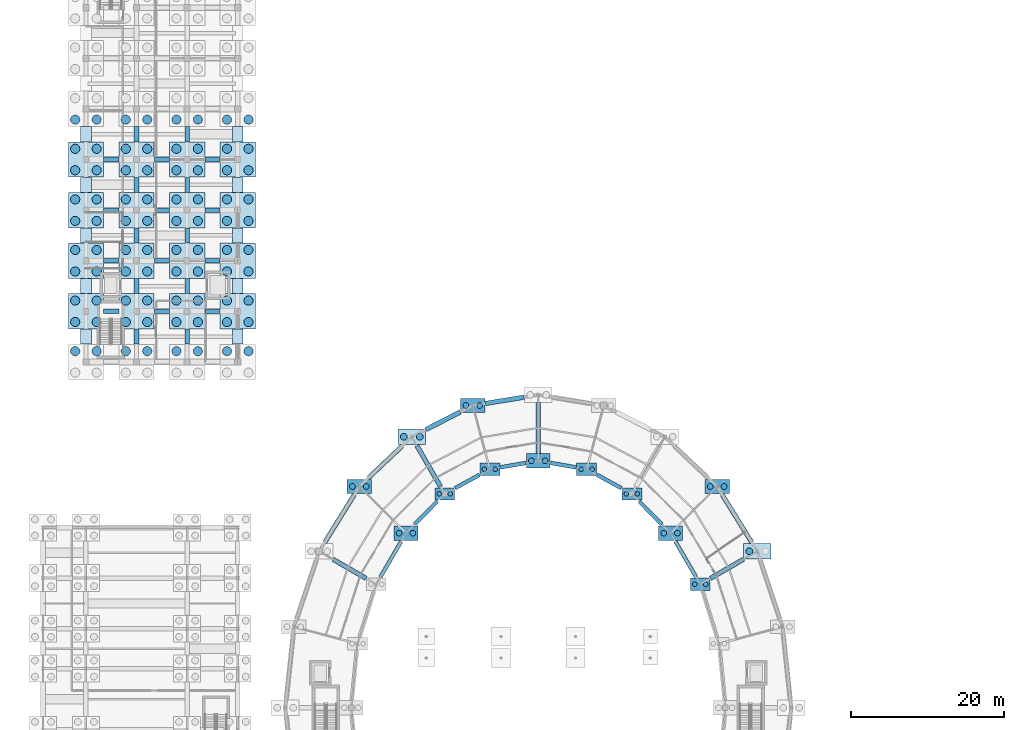
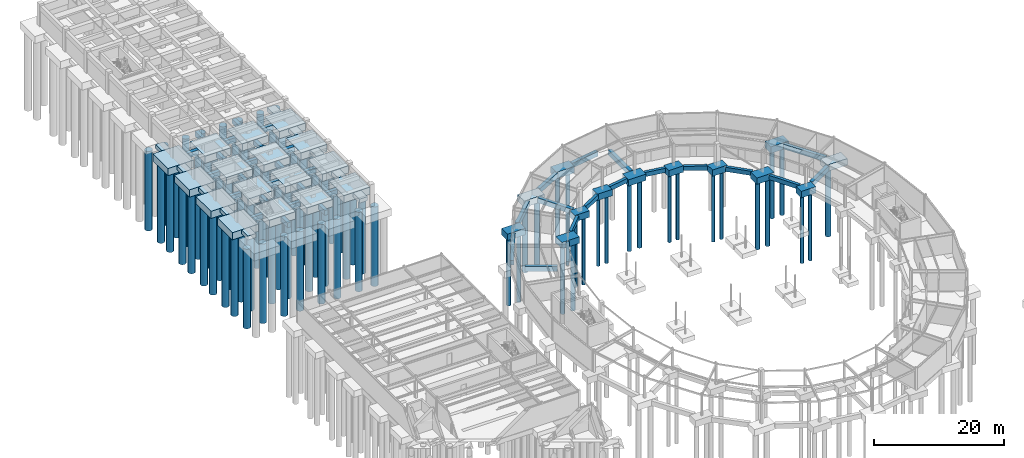
# One storey, part 5 of 58: 105 piles, 78 footings.
"""IFC4 building model written with IfcOpenShell, lengths in metres."""

import ifcopenshell
import ifcopenshell.guid

model = None  # the IFC model being written
_history = None  # IfcOwnerHistory: only IFC2X3 demands one
_inside = {}  # id of a spatial element -> (the spatial element, [elements in it])
_under = {}  # id of a project, library or spatial element -> (it, [spatial elements below it])
_declared = {}  # id of a project -> (the project, [libraries it declares])
_typed = {}  # id of a type object -> (the type object, [elements of that type])
_made_of = {}  # id of a material, layer set ... -> (it, [elements and type objects made of it])


def new_model(schema):
    """Start an empty IFC model of exactly this schema.

    Asked for "IFC4X3", IfcOpenShell would pick the latest addendum, in which some entities
    have other attributes; the version numbers below select the first issue.
    IFC2X3 requires an IfcOwnerHistory on every rooted entity: one is made here for all.
    """
    global model, _history
    if schema == "IFC4X3":
        model = ifcopenshell.file(schema_version=(4, 3, 0, 0))
    else:
        model = ifcopenshell.file(schema=schema)
    _inside.clear()
    _under.clear()
    _declared.clear()
    _typed.clear()
    _made_of.clear()
    _history = None
    if model.schema == "IFC2X3":
        org = make("IfcOrganization", Name="unknown")
        user = make(
            "IfcPersonAndOrganization",
            ThePerson=make("IfcPerson", FamilyName="unknown"),
            TheOrganization=org,
        )
        app = make(
            "IfcApplication",
            ApplicationDeveloper=org,
            Version="unknown",
            ApplicationFullName="unknown",
            ApplicationIdentifier="unknown",
        )
        _history = make(
            "IfcOwnerHistory",
            OwningUser=user,
            OwningApplication=app,
            ChangeAction="ADDED",
            CreationDate=0,
        )
    return model


def make(cls, **values):
    """One entity of the class cls with the attributes given. An attribute that is None is left unset."""
    return model.create_entity(
        cls, **{name: value for name, value in values.items() if value is not None}
    )


def rooted(cls, **values):
    """An entity with a GlobalId (a new one), such as an element, a storey or a relation."""
    return make(cls, GlobalId=ifcopenshell.guid.new(), OwnerHistory=_history, **values)


def si_unit(unit_type, name, prefix=None):
    """IfcSIUnit, for example si_unit("LENGTHUNIT", "METRE", prefix="MILLI")."""
    return make("IfcSIUnit", UnitType=unit_type, Prefix=prefix, Name=name)


def assignment(units):
    """IfcUnitAssignment: the units of a project."""
    return None if units is None else make("IfcUnitAssignment", Units=units)


def point(xyz):
    """IfcCartesianPoint."""
    return None if xyz is None else make("IfcCartesianPoint", Coordinates=xyz)


def direction(xyz):
    """IfcDirection."""
    return None if xyz is None else make("IfcDirection", DirectionRatios=xyz)


def frame(location, z_axis=None, x_axis=None):
    """IfcAxis2Placement3D, a coordinate frame: its origin and axes. An axis left out is left unset."""
    return make(
        "IfcAxis2Placement3D",
        Location=point(location),
        Axis=direction(z_axis),
        RefDirection=direction(x_axis),
    )


def frame_2d(location, x_axis=None):
    """IfcAxis2Placement2D, a coordinate frame in the plane: its origin and x axis."""
    return make(
        "IfcAxis2Placement2D", Location=point(location), RefDirection=direction(x_axis)
    )


def origin():
    """The frame at (0, 0, 0) with its axes left unset."""
    return frame((0.0, 0.0, 0.0))


def origin_2d():
    """The frame at (0, 0) in the plane with its x axis left unset."""
    return frame_2d((0.0, 0.0))


def place(relative_to, where):
    """IfcLocalPlacement: puts the frame where relative to a parent placement (None: the world)."""
    return make(
        "IfcLocalPlacement", PlacementRelTo=relative_to, RelativePlacement=where
    )


def context(
    kind, dimensions, precision=None, world=None, true_north=None, identifier=None
):
    """IfcGeometricRepresentationContext, for example the 3D "Model" context."""
    return make(
        "IfcGeometricRepresentationContext",
        ContextIdentifier=identifier,
        ContextType=kind,
        CoordinateSpaceDimension=dimensions,
        Precision=precision,
        WorldCoordinateSystem=world,
        TrueNorth=true_north,
    )


def subcontext(parent, identifier, kind, view, scale=None):
    """IfcGeometricRepresentationSubContext, for example "Body" below "Model"."""
    return make(
        "IfcGeometricRepresentationSubContext",
        ContextIdentifier=identifier,
        ContextType=kind,
        ParentContext=parent,
        TargetScale=scale,
        TargetView=view,
    )


def project(units=None, contexts=None):
    """IfcProject with its units and contexts."""
    return rooted(
        "IfcProject",
        Name="project",
        RepresentationContexts=contexts,
        UnitsInContext=assignment(units),
    )


def spatial(cls, under=None, at=None, **own):
    """A site, building, storey or space (cls), placed at a placement, below another one or the project."""
    s = rooted(cls, ObjectPlacement=at, **own)
    if under is not None:
        _under.setdefault(under.id(), (under, []))[1].append(s)
    return s


def profile(cls, at=None, kind="AREA", **sizes):
    """A parametric profile (cls). Its sizes go by their IFC names, for example OverallWidth=200.0."""
    return make(cls, ProfileType=kind, Position=at, **sizes)


def rectangle(**sizes):
    """IfcRectangleProfileDef."""
    return profile("IfcRectangleProfileDef", **sizes)


def circle(**sizes):
    """IfcCircleProfileDef."""
    return profile("IfcCircleProfileDef", **sizes)


def extrude(swept, where, along, depth):
    """IfcExtrudedAreaSolid: the profile swept, set in the frame where, extruded along a direction by depth."""
    return make(
        "IfcExtrudedAreaSolid",
        SweptArea=swept,
        Position=where,
        ExtrudedDirection=direction(along),
        Depth=depth,
    )


def shape(context_of_items, identifier, shape_type, items):
    """IfcShapeRepresentation: the items that make up one representation, for example the "Body"."""
    return make(
        "IfcShapeRepresentation",
        ContextOfItems=context_of_items,
        RepresentationIdentifier=identifier,
        RepresentationType=shape_type,
        Items=items,
    )


def material(Name=None, Category=None):
    """IfcMaterial."""
    return make("IfcMaterial", Name=Name, Category=Category)


def material_profile(
    of_material, cross_section, Name=None, Category=None, Priority=None
):
    """IfcMaterialProfile: a cross section and its material."""
    return make(
        "IfcMaterialProfile",
        Name=Name,
        Material=of_material,
        Profile=cross_section,
        Priority=Priority,
        Category=Category,
    )


def profile_set(profiles, Name=None, composite=None):
    """IfcMaterialProfileSet."""
    return make(
        "IfcMaterialProfileSet",
        Name=Name,
        MaterialProfiles=profiles,
        CompositeProfile=composite,
    )


def made_of(thing, what):
    """Note that an element or type object is made of a material, layer set ...; save() writes the relation."""
    if what is not None:
        _made_of.setdefault(what.id(), (what, []))[1].append(thing)
    return thing


def type_object(cls, material=None, **own):
    """A type object (cls), such as IfcWallType, which elements share."""
    return made_of(rooted(cls, **own), material)


def element(
    cls,
    number,
    at=None,
    inside=None,
    cuts=None,
    type_object=None,
    material=None,
    context=None,
    identifier="Body",
    shape_type=None,
    held_by="IfcProductDefinitionShape",
    body=None,
    shapes=None,
    **own,
):
    """One element of the class cls, such as IfcWall. Its Tag is "e" and its number.

    at: its placement. inside: the storey or other place that contains it. cuts: it is an
    opening in that element (IfcRelVoidsElement). A single representation is given by context,
    identifier, shape_type and body (its items); several are given by shapes. held_by: the class
    of the entity that holds the representations. save() writes the other relations.
    """
    e = rooted(cls, Tag="e%d" % number, ObjectPlacement=at, **own)
    if body is not None:
        shapes = [shape(context, identifier, shape_type, body)]
    if shapes is not None:
        e.Representation = make(held_by, Representations=shapes)
    if inside is not None:
        _inside.setdefault(inside.id(), (inside, []))[1].append(e)
    if cuts is not None:
        rooted(
            "IfcRelVoidsElement", RelatingBuildingElement=cuts, RelatedOpeningElement=e
        )
    if type_object is not None:
        _typed.setdefault(type_object.id(), (type_object, []))[1].append(e)
    return made_of(e, material)


def aggregate(whole, parts):
    """IfcRelAggregates: a whole, such as a stair, and the parts it consists of."""
    return rooted("IfcRelAggregates", RelatingObject=whole, RelatedObjects=parts)


def save(model, path):
    """Write the relations noted so far, then the file.

    IfcRelAggregates (storeys below a building ...), IfcRelContainedInSpatialStructure (elements
    in a storey), IfcRelDefinesByType, IfcRelAssociatesMaterial and IfcRelDeclares: one each for
    every whole, place, type object, material and project.
    """
    for whole, parts in _under.values():
        aggregate(whole, parts)
    for where, things in _inside.values():
        rooted(
            "IfcRelContainedInSpatialStructure",
            RelatedElements=things,
            RelatingStructure=where,
        )
    for kind, things in _typed.values():
        rooted("IfcRelDefinesByType", RelatedObjects=things, RelatingType=kind)
    for what, things in _made_of.values():
        rooted("IfcRelAssociatesMaterial", RelatedObjects=things, RelatingMaterial=what)
    for by, libraries in _declared.values():
        rooted("IfcRelDeclares", RelatingContext=by, RelatedDefinitions=libraries)
    model.write(path)


model = new_model("IFC4")

# Units and contexts
model_context = context("Model", 3, precision=1e-05, world=origin(), true_north=direction((0.0, 1.0)))
body_context = subcontext(model_context, "Body", "Model", "MODEL_VIEW")
ifc_project = project(units=[si_unit("LENGTHUNIT", "METRE"), si_unit("AREAUNIT", "SQUARE_METRE"), si_unit("VOLUMEUNIT", "CUBIC_METRE"), si_unit("PLANEANGLEUNIT", "RADIAN"), si_unit("MASSUNIT", "GRAM", prefix="KILO")], contexts=[model_context])

# Site, building, storey
site_placement = place(None, origin())
site = spatial("IfcSite", under=ifc_project, at=site_placement, CompositionType="ELEMENT")
building_placement = place(site_placement, origin())
building = spatial("IfcBuilding", under=site, at=building_placement, Name="Karori Crest Natural Sciences Institute", CompositionType="ELEMENT")
storey_placement = place(building_placement, frame((0.0, 0.0, -4.199951171875)))
storey = spatial("IfcBuildingStorey", under=building, at=storey_placement, Name="B1", CompositionType="ELEMENT", Elevation=-4.199951171875)

# Footings
ifc_material = material(Name="Concrete 40 MPa", Category="concrete")
footing_type_1 = type_object("IfcFootingType", Name="FT-02", PredefinedType="PILE_CAP", material=ifc_material)
for number, where, z_axis, x_axis, name in (
    (1, (87.531005859375, 66.0, -1.2001953125), (0.0, 0.0, 1.0), (1.0, 0.0, 0.0), "Pile cap PC-0006"),
    (2, (78.60009765625, 77.785888671875, -1.2001953125), (0.0, 0.0, 1.0), (1.0, 0.0, 0.0), "Pile cap PC-0010"),
    (3, (72.715087890625, 81.002685546875, -1.2001953125), (0.0, 0.0, 1.0), (1.0, 0.0, 0.0), "Pile cap PC-0012"),
    (4, (60.084716796875, 81.002685546875, -1.2001953125), (0.0, 0.0, 1.0), (1.0, 0.0, 0.0), "Pile cap PC-0016"),
    (5, (54.199951171875, 77.785888671875, -1.2001953125), (0.0, 0.0, 1.0), (1.0, 0.0, 0.0), "Pile cap PC-0018"),
):
    element("IfcFooting", number, at=place(storey_placement, frame(where, z_axis=z_axis, x_axis=x_axis)), inside=storey, type_object=footing_type_1, Name=name, PredefinedType="PILE_CAP", context=body_context, shape_type="SweptSolid", body=[
        extrude(rectangle(XDim=2.60009765625, YDim=1.60009765625, at=origin_2d()), origin(), (0.0, 0.0, 1.0), 1.199951171875),
    ])
footing_type_2 = type_object("IfcFootingType", Name="FT-03", PredefinedType="PILE_CAP", material=ifc_material)
for number, where, z_axis, x_axis, name in (
    (6, (83.6533203125, 72.668701171875, -1.2001953125), (0.0, 0.0, 1.0), (1.0, 0.0, 0.0), "Pile cap PC-0008"),
    (7, (66.39990234375, 82.10009765625, -1.2001953125), (0.0, 0.0, 1.0), (1.0, 0.0, 0.0), "Pile cap PC-0014"),
    (8, (49.146484375, 72.668701171875, -1.2001953125), (0.0, 0.0, 1.0), (1.0, 0.0, 0.0), "Pile cap PC-0020"),
):
    element("IfcFooting", number, at=place(storey_placement, frame(where, z_axis=z_axis, x_axis=x_axis)), inside=storey, type_object=footing_type_2, Name=name, PredefinedType="PILE_CAP", context=body_context, shape_type="SweptSolid", body=[
        extrude(rectangle(XDim=3.10009765625, YDim=1.89990234375, at=origin_2d()), origin(), (0.0, 0.0, 1.0), 1.199951171875),
    ])
footing_type_3 = type_object("IfcFootingType", Name="FT-07", PredefinedType="PILE_CAP", material=ifc_material)
for number, where, z_axis, x_axis, name in (
    (9, (89.734619140625, 78.75, -1.2001953125), (0.0, 0.0, 1.0), (1.0, 0.0, 0.0), "Pile cap PC-0007"),
    (10, (57.85888671875, 89.309814453125, -1.2001953125), (0.0, 0.0, 1.0), (1.0, 0.0, 0.0), "Pile cap PC-0015"),
    (11, (43.0654296875, 78.75, -1.2001953125), (0.0, 0.0, 1.0), (1.0, 0.0, 0.0), "Pile cap PC-0019"),
):
    element("IfcFooting", number, at=place(storey_placement, frame(where, z_axis=z_axis, x_axis=x_axis)), inside=storey, type_object=footing_type_3, Name=name, PredefinedType="PILE_CAP", context=body_context, shape_type="SweptSolid", body=[
        extrude(rectangle(XDim=3.199951171875, YDim=1.800048828125, at=origin_2d()), origin(), (0.0, 0.0, 1.0), 1.199951171875),
    ])
footing_type_4 = type_object("IfcFootingType", Name="FT-08", PredefinedType="PILE_CAP", material=ifc_material)
for number, where, z_axis, x_axis, name in (
    (12, (94.978759765625, 70.300048828125, -1.2001953125), (0.0, 0.0, 1.0), (1.0, 0.0, 0.0), "Pile cap PC-0005"),
    (13, (49.89990234375, 85.23388671875, -1.2001953125), (0.0, 0.0, 1.0), (1.0, 0.0, 0.0), "Pile cap PC-0017"),
):
    element("IfcFooting", number, at=place(storey_placement, frame(where, z_axis=z_axis, x_axis=x_axis)), inside=storey, type_object=footing_type_4, Name=name, PredefinedType="PILE_CAP", context=body_context, shape_type="SweptSolid", body=[
        extrude(rectangle(XDim=3.60009765625, YDim=2.0, at=origin_2d()), origin(), (0.0, 0.0, 1.0), 1.199951171875),
    ])
footing_type_5 = type_object("IfcFootingType", Name="FT-11", PredefinedType="PILE_CAP", material=ifc_material)
for number, where, z_axis, x_axis, name in (
    (14, (7.39990234375, 101.60009765625, -1.35009765625), (0.0, 0.0, 1.0), (1.0, 0.0, 0.0), "Pile cap PC-0113"),
    (15, (7.39990234375, 108.199951171875, -1.35009765625), (0.0, 0.0, 1.0), (1.0, 0.0, 0.0), "Pile cap PC-0114"),
    (16, (7.39990234375, 114.800048828125, -1.35009765625), (0.0, 0.0, 1.0), (1.0, 0.0, 0.0), "Pile cap PC-0115"),
    (17, (7.39990234375, 121.39990234375, -1.35009765625), (0.0, 0.0, 1.0), (1.0, 0.0, 0.0), "Pile cap PC-0116"),
    (18, (14.0, 101.60009765625, -1.35009765625), (0.0, 0.0, 1.0), (1.0, 0.0, 0.0), "Pile cap PC-0124"),
    (19, (14.0, 108.199951171875, -1.35009765625), (0.0, 0.0, 1.0), (1.0, 0.0, 0.0), "Pile cap PC-0125"),
    (20, (14.0, 114.800048828125, -1.35009765625), (0.0, 0.0, 1.0), (1.0, 0.0, 0.0), "Pile cap PC-0126"),
    (21, (14.0, 121.39990234375, -1.35009765625), (0.0, 0.0, 1.0), (1.0, 0.0, 0.0), "Pile cap PC-0127"),
    (22, (20.60009765625, 101.60009765625, -1.35009765625), (0.0, 0.0, 1.0), (1.0, 0.0, 0.0), "Pile cap PC-0135"),
    (23, (20.60009765625, 108.199951171875, -1.35009765625), (0.0, 0.0, 1.0), (1.0, 0.0, 0.0), "Pile cap PC-0136"),
    (24, (20.60009765625, 114.800048828125, -1.35009765625), (0.0, 0.0, 1.0), (1.0, 0.0, 0.0), "Pile cap PC-0137"),
    (25, (20.60009765625, 121.39990234375, -1.35009765625), (0.0, 0.0, 1.0), (1.0, 0.0, 0.0), "Pile cap PC-0138"),
    (26, (27.199951171875, 101.60009765625, -1.35009765625), (0.0, 0.0, 1.0), (1.0, 0.0, 0.0), "Pile cap PC-0146"),
    (27, (27.199951171875, 108.199951171875, -1.35009765625), (0.0, 0.0, 1.0), (1.0, 0.0, 0.0), "Pile cap PC-0147"),
    (28, (27.199951171875, 114.800048828125, -1.35009765625), (0.0, 0.0, 1.0), (1.0, 0.0, 0.0), "Pile cap PC-0148"),
    (29, (27.199951171875, 121.39990234375, -1.35009765625), (0.0, 0.0, 1.0), (1.0, 0.0, 0.0), "Pile cap PC-0149"),
):
    element("IfcFooting", number, at=place(storey_placement, frame(where, z_axis=z_axis, x_axis=x_axis)), inside=storey, type_object=footing_type_5, Name=name, PredefinedType="PILE_CAP", context=body_context, shape_type="SweptSolid", body=[
        extrude(rectangle(XDim=4.60009765625, YDim=4.60009765625, at=origin_2d()), origin(), (0.0, 0.0, 1.0), 1.35009765625),
    ])
footing_type_6 = type_object("IfcFootingType", Name="FT-16", PredefinedType="FOOTING_BEAM", material=ifc_material)
footing_1_placement = place(storey_placement, frame((92.32568359375, 74.574951171875, -0.89990234375), z_axis=(0.0, 0.0, 1.0), x_axis=(-0.527325098025, 0.849663604606, 0.0)))
element("IfcFooting", 30, at=footing_1_placement, inside=storey, type_object=footing_type_6, Name="Ground beam FB-0006", PredefinedType="FOOTING_BEAM", context=body_context, shape_type="SweptSolid", body=[
    extrude(rectangle(XDim=7.31005859375, YDim=0.60009765625, at=origin_2d()), origin(), (0.0, 0.0, 1.0), 0.89990234375),
])
footing_2_placement = place(storey_placement, frame((91.02294921875, 68.01611328125, -0.89990234375), z_axis=(0.0, 0.0, 1.0), x_axis=(0.866024531118, 0.500001511499, 0.0)))
element("IfcFooting", 31, at=footing_2_placement, inside=storey, type_object=footing_type_6, Name="Ground beam FB-0008", PredefinedType="FOOTING_BEAM", context=body_context, shape_type="SweptSolid", body=[
    extrude(rectangle(XDim=4.983642578125, YDim=0.60009765625, at=origin_2d()), origin(), (0.0, 0.0, 1.0), 0.89990234375),
])
footing_3_placement = place(storey_placement, frame((62.029541015625, 89.988525390625, -0.89990234375), z_axis=(0.0, 0.0, 1.0), x_axis=(0.987010951028, 0.160652987993, 0.0)))
element("IfcFooting", 32, at=footing_3_placement, inside=storey, type_object=footing_type_6, Name="Ground beam FB-0016", PredefinedType="FOOTING_BEAM", context=body_context, shape_type="SweptSolid", body=[
    extrude(rectangle(XDim=5.09228515625, YDim=0.60009765625, at=origin_2d()), origin(), (0.0, 0.0, 1.0), 0.89990234375),
])
footing_4_placement = place(storey_placement, frame((66.39990234375, 86.375, -0.89990234375), z_axis=(0.0, 0.0, 1.0), x_axis=(0.0, 1.0, 0.0)))
element("IfcFooting", 33, at=footing_4_placement, inside=storey, type_object=footing_type_6, Name="Ground beam FB-0018", PredefinedType="FOOTING_BEAM", context=body_context, shape_type="SweptSolid", body=[
    extrude(rectangle(XDim=6.614013671875, YDim=0.60009765625, at=origin_2d()), origin(), (0.0, 0.0, 1.0), 0.89990234375),
])
footing_5_placement = place(storey_placement, frame((53.9794921875, 87.322998046875, -0.89990234375), z_axis=(0.0, 0.0, 1.0), x_axis=(0.890068851465, 0.455826106813, 0.0)))
element("IfcFooting", 34, at=footing_5_placement, inside=storey, type_object=footing_type_6, Name="Ground beam FB-0019", PredefinedType="FOOTING_BEAM", context=body_context, shape_type="SweptSolid", body=[
    extrude(rectangle(XDim=5.024169921875, YDim=0.60009765625, at=origin_2d()), origin(), (0.0, 0.0, 1.0), 0.89990234375),
])
footing_6_placement = place(storey_placement, frame((46.429931640625, 81.94189453125, -0.89990234375), z_axis=(0.0, 0.0, 1.0), x_axis=(0.725475281268, 0.688248222859, 0.0)))
element("IfcFooting", 35, at=footing_6_placement, inside=storey, type_object=footing_type_6, Name="Ground beam FB-0021", PredefinedType="FOOTING_BEAM", context=body_context, shape_type="SweptSolid", body=[
    extrude(rectangle(XDim=5.996826171875, YDim=0.60009765625, at=origin_2d()), origin(), (0.0, 0.0, 1.0), 0.89990234375),
])
footing_7_placement = place(storey_placement, frame((52.107666015625, 81.409912109375, -0.89990234375), z_axis=(0.0, 0.0, 1.0), x_axis=(-0.500001511499, 0.866024531118, 0.0)))
element("IfcFooting", 36, at=footing_7_placement, inside=storey, type_object=footing_type_6, Name="Ground beam FB-0023", PredefinedType="FOOTING_BEAM", context=body_context, shape_type="SweptSolid", body=[
    extrude(rectangle(XDim=6.14306640625, YDim=0.60009765625, at=origin_2d()), origin(), (0.0, 0.0, 1.0), 0.89990234375),
])
footing_8_placement = place(storey_placement, frame((40.474365234375, 74.574951171875, -0.89990234375), z_axis=(0.0, 0.0, 1.0), x_axis=(0.527325098025, 0.849663604606, 0.0)))
element("IfcFooting", 37, at=footing_8_placement, inside=storey, type_object=footing_type_6, Name="Ground beam FB-0024", PredefinedType="FOOTING_BEAM", context=body_context, shape_type="SweptSolid", body=[
    extrude(rectangle(XDim=7.31005859375, YDim=0.60009765625, at=origin_2d()), origin(), (0.0, 0.0, 1.0), 0.89990234375),
])
footing_9_placement = place(storey_placement, frame((41.777099609375, 68.01611328125, -0.89990234375), z_axis=(0.0, 0.0, 1.0), x_axis=(-0.866024531118, 0.500001511499, 0.0)))
element("IfcFooting", 38, at=footing_9_placement, inside=storey, type_object=footing_type_6, Name="Ground beam FB-0028", PredefinedType="FOOTING_BEAM", context=body_context, shape_type="SweptSolid", body=[
    extrude(rectangle(XDim=4.983642578125, YDim=0.60009765625, at=origin_2d()), origin(), (0.0, 0.0, 1.0), 0.89990234375),
])
for number, where, z_axis, x_axis, name in (
    (39, (10.699951171875, 101.60009765625, -0.89990234375), (0.0, 0.0, 1.0), (1.0, 0.0, 0.0), "Ground beam FB-0128"),
    (40, (10.699951171875, 108.199951171875, -0.89990234375), (0.0, 0.0, 1.0), (1.0, 0.0, 0.0), "Ground beam FB-0129"),
    (41, (10.699951171875, 114.800048828125, -0.89990234375), (0.0, 0.0, 1.0), (1.0, 0.0, 0.0), "Ground beam FB-0130"),
    (42, (10.699951171875, 121.39990234375, -0.89990234375), (0.0, 0.0, 1.0), (1.0, 0.0, 0.0), "Ground beam FB-0131"),
    (43, (14.0, 98.300048828125, -0.89990234375), (0.0, 0.0, 1.0), (0.0, 1.0, 0.0), "Ground beam FB-0139"),
    (44, (17.300048828125, 101.60009765625, -0.89990234375), (0.0, 0.0, 1.0), (1.0, 0.0, 0.0), "Ground beam FB-0140"),
    (45, (14.0, 104.89990234375, -0.89990234375), (0.0, 0.0, 1.0), (0.0, 1.0, 0.0), "Ground beam FB-0141"),
    (46, (17.300048828125, 108.199951171875, -0.89990234375), (0.0, 0.0, 1.0), (1.0, 0.0, 0.0), "Ground beam FB-0142"),
    (47, (14.0, 111.5, -0.89990234375), (0.0, 0.0, 1.0), (0.0, 1.0, 0.0), "Ground beam FB-0143"),
    (48, (17.300048828125, 114.800048828125, -0.89990234375), (0.0, 0.0, 1.0), (1.0, 0.0, 0.0), "Ground beam FB-0144"),
    (49, (14.0, 118.10009765625, -0.89990234375), (0.0, 0.0, 1.0), (0.0, 1.0, 0.0), "Ground beam FB-0145"),
    (50, (17.300048828125, 121.39990234375, -0.89990234375), (0.0, 0.0, 1.0), (1.0, 0.0, 0.0), "Ground beam FB-0146"),
    (51, (14.0, 124.699951171875, -0.89990234375), (0.0, 0.0, 1.0), (0.0, 1.0, 0.0), "Ground beam FB-0147"),
    (52, (20.60009765625, 98.300048828125, -0.89990234375), (0.0, 0.0, 1.0), (0.0, 1.0, 0.0), "Ground beam FB-0160"),
    (53, (23.89990234375, 101.60009765625, -0.89990234375), (0.0, 0.0, 1.0), (1.0, 0.0, 0.0), "Ground beam FB-0161"),
    (54, (20.60009765625, 104.89990234375, -0.89990234375), (0.0, 0.0, 1.0), (0.0, 1.0, 0.0), "Ground beam FB-0162"),
    (55, (23.89990234375, 108.199951171875, -0.89990234375), (0.0, 0.0, 1.0), (1.0, 0.0, 0.0), "Ground beam FB-0163"),
    (56, (20.60009765625, 111.5, -0.89990234375), (0.0, 0.0, 1.0), (0.0, 1.0, 0.0), "Ground beam FB-0164"),
    (57, (23.89990234375, 114.800048828125, -0.89990234375), (0.0, 0.0, 1.0), (1.0, 0.0, 0.0), "Ground beam FB-0165"),
    (58, (20.60009765625, 118.10009765625, -0.89990234375), (0.0, 0.0, 1.0), (0.0, 1.0, 0.0), "Ground beam FB-0166"),
    (59, (23.89990234375, 121.39990234375, -0.89990234375), (0.0, 0.0, 1.0), (1.0, 0.0, 0.0), "Ground beam FB-0167"),
    (60, (20.60009765625, 124.699951171875, -0.89990234375), (0.0, 0.0, 1.0), (0.0, 1.0, 0.0), "Ground beam FB-0168"),
):
    element("IfcFooting", number, at=place(storey_placement, frame(where, z_axis=z_axis, x_axis=x_axis)), inside=storey, type_object=footing_type_6, Name=name, PredefinedType="FOOTING_BEAM", context=body_context, shape_type="SweptSolid", body=[
        extrude(rectangle(XDim=1.964111328125, YDim=0.60009765625, at=origin_2d()), origin(), (0.0, 0.0, 1.0), 0.89990234375),
    ])
footing_type_7 = type_object("IfcFootingType", Name="FT-17", PredefinedType="FOOTING_BEAM", material=ifc_material)
footing_10_placement = place(storey_placement, frame((85.6357421875, 69.259521484375, -0.80029296875), z_axis=(0.0, 0.0, 1.0), x_axis=(-0.502657875929, 0.864485430627, 0.0)))
element("IfcFooting", 61, at=footing_10_placement, inside=storey, type_object=footing_type_7, Name="Ground beam FB-0007", PredefinedType="FOOTING_BEAM", context=body_context, shape_type="SweptSolid", body=[
    extrude(rectangle(XDim=5.371337890625, YDim=0.5, at=origin_2d()), origin(), (0.0, 0.0, 1.0), 0.800048828125),
])
footing_11_placement = place(storey_placement, frame((81.052490234375, 75.302490234375, -0.80029296875), z_axis=(0.0, 0.0, 1.0), x_axis=(-0.702657420945, 0.711528319037, 0.0)))
element("IfcFooting", 62, at=footing_11_placement, inside=storey, type_object=footing_type_7, Name="Ground beam FB-0010", PredefinedType="FOOTING_BEAM", context=body_context, shape_type="SweptSolid", body=[
    extrude(rectangle(XDim=4.2099609375, YDim=0.5, at=origin_2d()), origin(), (0.0, 0.0, 1.0), 0.800048828125),
])
footing_12_placement = place(storey_placement, frame((75.65771484375, 79.394287109375, -0.80029296875), z_axis=(0.0, 0.0, 1.0), x_axis=(-0.877461955643, 0.479646240889, 0.0)))
element("IfcFooting", 63, at=footing_12_placement, inside=storey, type_object=footing_type_7, Name="Ground beam FB-0012", PredefinedType="FOOTING_BEAM", context=body_context, shape_type="SweptSolid", body=[
    extrude(rectangle(XDim=3.625244140625, YDim=0.5, at=origin_2d()), origin(), (0.0, 0.0, 1.0), 0.800048828125),
])
for number, where, z_axis, x_axis, name in (
    (64, (69.6826171875, 81.52978515625, -0.80029296875), (0.0, 0.0, 1.0), (-0.985240470223, 0.171175979142, 0.0), "Ground beam FB-0015"),
    (65, (63.117431640625, 81.52978515625, -0.80029296875), (0.0, 0.0, 1.0), (0.985240470223, 0.171175979142, 0.0), "Ground beam FB-0017"),
):
    element("IfcFooting", number, at=place(storey_placement, frame(where, z_axis=z_axis, x_axis=x_axis)), inside=storey, type_object=footing_type_7, Name=name, PredefinedType="FOOTING_BEAM", context=body_context, shape_type="SweptSolid", body=[
        extrude(rectangle(XDim=3.40087890625, YDim=0.5, at=origin_2d()), origin(), (0.0, 0.0, 1.0), 0.800048828125),
    ])
footing_13_placement = place(storey_placement, frame((57.142333984375, 79.394287109375, -0.80029296875), z_axis=(0.0, 0.0, 1.0), x_axis=(0.877461955643, 0.479646240889, 0.0)))
element("IfcFooting", 66, at=footing_13_placement, inside=storey, type_object=footing_type_7, Name="Ground beam FB-0020", PredefinedType="FOOTING_BEAM", context=body_context, shape_type="SweptSolid", body=[
    extrude(rectangle(XDim=3.625244140625, YDim=0.5, at=origin_2d()), origin(), (0.0, 0.0, 1.0), 0.800048828125),
])
footing_14_placement = place(storey_placement, frame((51.747314453125, 75.302490234375, -0.80029296875), z_axis=(0.0, 0.0, 1.0), x_axis=(0.702657420945, 0.711528319037, 0.0)))
element("IfcFooting", 67, at=footing_14_placement, inside=storey, type_object=footing_type_7, Name="Ground beam FB-0022", PredefinedType="FOOTING_BEAM", context=body_context, shape_type="SweptSolid", body=[
    extrude(rectangle(XDim=4.2099609375, YDim=0.5, at=origin_2d()), origin(), (0.0, 0.0, 1.0), 0.800048828125),
])
footing_15_placement = place(storey_placement, frame((47.164306640625, 69.259521484375, -0.80029296875), z_axis=(0.0, 0.0, 1.0), x_axis=(0.502657875929, 0.864485430627, 0.0)))
element("IfcFooting", 68, at=footing_15_placement, inside=storey, type_object=footing_type_7, Name="Ground beam FB-0025", PredefinedType="FOOTING_BEAM", context=body_context, shape_type="SweptSolid", body=[
    extrude(rectangle(XDim=5.371337890625, YDim=0.5, at=origin_2d()), origin(), (0.0, 0.0, 1.0), 0.800048828125),
])
footing_type_8 = type_object("IfcFootingType", Name="FT-20", PredefinedType="STRIP_FOOTING", material=ifc_material)
for number, where, z_axis, x_axis, name in (
    (69, (7.39990234375, 98.300048828125, -0.75), (0.0, 0.0, 1.0), (0.0, 1.0, 0.0), "Strip footing SF-0021"),
    (70, (7.39990234375, 104.89990234375, -0.75), (0.0, 0.0, 1.0), (0.0, 1.0, 0.0), "Strip footing SF-0022"),
    (71, (7.39990234375, 111.5, -0.75), (0.0, 0.0, 1.0), (0.0, 1.0, 0.0), "Strip footing SF-0023"),
    (72, (7.39990234375, 118.10009765625, -0.75), (0.0, 0.0, 1.0), (0.0, 1.0, 0.0), "Strip footing SF-0024"),
    (73, (7.39990234375, 124.699951171875, -0.75), (0.0, 0.0, 1.0), (0.0, 1.0, 0.0), "Strip footing SF-0025"),
    (74, (27.199951171875, 98.300048828125, -0.75), (0.0, 0.0, 1.0), (0.0, 1.0, 0.0), "Strip footing SF-0031"),
    (75, (27.199951171875, 104.89990234375, -0.75), (0.0, 0.0, 1.0), (0.0, 1.0, 0.0), "Strip footing SF-0032"),
    (76, (27.199951171875, 111.5, -0.75), (0.0, 0.0, 1.0), (0.0, 1.0, 0.0), "Strip footing SF-0033"),
    (77, (27.199951171875, 118.10009765625, -0.75), (0.0, 0.0, 1.0), (0.0, 1.0, 0.0), "Strip footing SF-0034"),
    (78, (27.199951171875, 124.699951171875, -0.75), (0.0, 0.0, 1.0), (0.0, 1.0, 0.0), "Strip footing SF-0035"),
):
    element("IfcFooting", number, at=place(storey_placement, frame(where, z_axis=z_axis, x_axis=x_axis)), inside=storey, type_object=footing_type_8, Name=name, PredefinedType="STRIP_FOOTING", context=body_context, shape_type="SweptSolid", body=[
        extrude(rectangle(XDim=1.964111328125, YDim=1.39990234375, at=origin_2d()), origin(), (0.0, 0.0, 1.0), 0.75),
    ])

# Piles
ifc_material_profile_1 = material_profile(ifc_material, circle(Radius=0.300048828125, at=origin_2d()), Name="PILE600")
ifc_profile_set_1 = profile_set([ifc_material_profile_1], Name="Concrete 40 MPa")
pile_type_1 = type_object("IfcPileType", Name="PT-01", PredefinedType="BORED", material=ifc_profile_set_1)
for number, where, z_axis, x_axis, name in (
    (79, (86.81103515625, 66.0, -1.10009765625), (0.0, 0.0, -1.0), (1.0, 0.0, 0.0), "Bored pile PL-0011"),
    (80, (88.2509765625, 66.0, -1.10009765625), (0.0, 0.0, -1.0), (1.0, 0.0, 0.0), "Bored pile PL-0012"),
    (81, (77.8798828125, 77.785888671875, -1.10009765625), (0.0, 0.0, -1.0), (1.0, 0.0, 0.0), "Bored pile PL-0019"),
    (82, (79.320068359375, 77.785888671875, -1.10009765625), (0.0, 0.0, -1.0), (1.0, 0.0, 0.0), "Bored pile PL-0020"),
    (83, (71.9951171875, 81.002685546875, -1.10009765625), (0.0, 0.0, -1.0), (1.0, 0.0, 0.0), "Bored pile PL-0023"),
    (84, (73.435302734375, 81.002685546875, -1.10009765625), (0.0, 0.0, -1.0), (1.0, 0.0, 0.0), "Bored pile PL-0024"),
    (85, (59.36474609375, 81.002685546875, -1.10009765625), (0.0, 0.0, -1.0), (1.0, 0.0, 0.0), "Bored pile PL-0031"),
    (86, (60.8046875, 81.002685546875, -1.10009765625), (0.0, 0.0, -1.0), (1.0, 0.0, 0.0), "Bored pile PL-0032"),
    (87, (53.47998046875, 77.785888671875, -1.10009765625), (0.0, 0.0, -1.0), (1.0, 0.0, 0.0), "Bored pile PL-0035"),
    (88, (54.919921875, 77.785888671875, -1.10009765625), (0.0, 0.0, -1.0), (1.0, 0.0, 0.0), "Bored pile PL-0036"),
):
    element("IfcPile", number, at=place(storey_placement, frame(where, z_axis=z_axis, x_axis=x_axis)), inside=storey, type_object=pile_type_1, Name=name, PredefinedType="BORED", context=body_context, shape_type="SweptSolid", body=[
        extrude(circle(Radius=0.300048828125, at=origin_2d()), origin(), (0.0, 0.0, 1.0), 12.89990234375),
    ])
ifc_material_profile_2 = material_profile(ifc_material, circle(Radius=0.375, at=origin_2d()), Name="PILE750")
ifc_profile_set_2 = profile_set([ifc_material_profile_2], Name="Concrete 40 MPa")
pile_type_2 = type_object("IfcPileType", Name="PT-02", PredefinedType="BORED", material=ifc_profile_set_2)
for number, where, z_axis, x_axis, name in (
    (89, (88.83447265625, 78.75, -1.10009765625), (0.0, 0.0, -1.0), (1.0, 0.0, 0.0), "Bored pile PL-0013"),
    (90, (90.634521484375, 78.75, -1.10009765625), (0.0, 0.0, -1.0), (1.0, 0.0, 0.0), "Bored pile PL-0014"),
    (91, (82.75341796875, 72.668701171875, -1.10009765625), (0.0, 0.0, -1.0), (1.0, 0.0, 0.0), "Bored pile PL-0015"),
    (92, (84.553466796875, 72.668701171875, -1.10009765625), (0.0, 0.0, -1.0), (1.0, 0.0, 0.0), "Bored pile PL-0016"),
    (93, (65.5, 82.10009765625, -1.10009765625), (0.0, 0.0, -1.0), (1.0, 0.0, 0.0), "Bored pile PL-0027"),
    (94, (67.300048828125, 82.10009765625, -1.10009765625), (0.0, 0.0, -1.0), (1.0, 0.0, 0.0), "Bored pile PL-0028"),
    (95, (56.958984375, 89.309814453125, -1.10009765625), (0.0, 0.0, -1.0), (1.0, 0.0, 0.0), "Bored pile PL-0029"),
    (96, (58.759033203125, 89.309814453125, -1.10009765625), (0.0, 0.0, -1.0), (1.0, 0.0, 0.0), "Bored pile PL-0030"),
    (97, (42.16552734375, 78.75, -1.10009765625), (0.0, 0.0, -1.0), (1.0, 0.0, 0.0), "Bored pile PL-0037"),
    (98, (43.965576171875, 78.75, -1.10009765625), (0.0, 0.0, -1.0), (1.0, 0.0, 0.0), "Bored pile PL-0038"),
    (99, (48.24658203125, 72.668701171875, -1.10009765625), (0.0, 0.0, -1.0), (1.0, 0.0, 0.0), "Bored pile PL-0039"),
    (100, (50.046630859375, 72.668701171875, -1.10009765625), (0.0, 0.0, -1.0), (1.0, 0.0, 0.0), "Bored pile PL-0040"),
):
    element("IfcPile", number, at=place(storey_placement, frame(where, z_axis=z_axis, x_axis=x_axis)), inside=storey, type_object=pile_type_2, Name=name, PredefinedType="BORED", context=body_context, shape_type="SweptSolid", body=[
        extrude(circle(Radius=0.375, at=origin_2d()), origin(), (0.0, 0.0, 1.0), 12.89990234375),
    ])
ifc_material_profile_3 = material_profile(ifc_material, circle(Radius=0.449951171875, at=origin_2d()), Name="PILE900")
ifc_profile_set_3 = profile_set([ifc_material_profile_3], Name="Concrete 40 MPa")
pile_type_3 = type_object("IfcPileType", Name="PT-03", PredefinedType="BORED", material=ifc_profile_set_3)
for number, where, z_axis, x_axis, name in (
    (101, (93.9287109375, 70.300048828125, -1.10009765625), (0.0, 0.0, -1.0), (1.0, 0.0, 0.0), "Bored pile PL-0009"),
    (102, (48.85009765625, 85.23388671875, -1.10009765625), (0.0, 0.0, -1.0), (1.0, 0.0, 0.0), "Bored pile PL-0033"),
    (103, (50.949951171875, 85.23388671875, -1.10009765625), (0.0, 0.0, -1.0), (1.0, 0.0, 0.0), "Bored pile PL-0034"),
):
    element("IfcPile", number, at=place(storey_placement, frame(where, z_axis=z_axis, x_axis=x_axis)), inside=storey, type_object=pile_type_3, Name=name, PredefinedType="BORED", context=body_context, shape_type="SweptSolid", body=[
        extrude(circle(Radius=0.449951171875, at=origin_2d()), origin(), (0.0, 0.0, 1.0), 12.89990234375),
    ])
ifc_material_profile_4 = material_profile(ifc_material, circle(Radius=0.60009765625, at=origin_2d()), Name="PILE1200")
ifc_profile_set_4 = profile_set([ifc_material_profile_4], Name="Concrete 40 MPa")
pile_type_4 = type_object("IfcPileType", Name="PT-05", PredefinedType="BORED", material=ifc_profile_set_4)
for number, where, z_axis, x_axis, name in (
    (104, (6.0, 96.39990234375, -1.25), (0.0, 0.0, -1.0), (1.0, 0.0, 0.0), "Bored pile PL-0287"),
    (105, (8.800048828125, 96.39990234375, -1.25), (0.0, 0.0, -1.0), (1.0, 0.0, 0.0), "Bored pile PL-0288"),
    (106, (6.0, 100.199951171875, -1.25), (0.0, 0.0, -1.0), (1.0, 0.0, 0.0), "Bored pile PL-0289"),
    (107, (8.800048828125, 100.199951171875, -1.25), (0.0, 0.0, -1.0), (1.0, 0.0, 0.0), "Bored pile PL-0290"),
    (108, (6.0, 103.0, -1.25), (0.0, 0.0, -1.0), (1.0, 0.0, 0.0), "Bored pile PL-0291"),
    (109, (8.800048828125, 103.0, -1.25), (0.0, 0.0, -1.0), (1.0, 0.0, 0.0), "Bored pile PL-0292"),
    (110, (6.0, 106.800048828125, -1.25), (0.0, 0.0, -1.0), (1.0, 0.0, 0.0), "Bored pile PL-0293"),
    (111, (8.800048828125, 106.800048828125, -1.25), (0.0, 0.0, -1.0), (1.0, 0.0, 0.0), "Bored pile PL-0294"),
    (112, (6.0, 109.60009765625, -1.25), (0.0, 0.0, -1.0), (1.0, 0.0, 0.0), "Bored pile PL-0295"),
    (113, (8.800048828125, 109.60009765625, -1.25), (0.0, 0.0, -1.0), (1.0, 0.0, 0.0), "Bored pile PL-0296"),
    (114, (6.0, 113.39990234375, -1.25), (0.0, 0.0, -1.0), (1.0, 0.0, 0.0), "Bored pile PL-0297"),
    (115, (8.800048828125, 113.39990234375, -1.25), (0.0, 0.0, -1.0), (1.0, 0.0, 0.0), "Bored pile PL-0298"),
    (116, (6.0, 116.199951171875, -1.25), (0.0, 0.0, -1.0), (1.0, 0.0, 0.0), "Bored pile PL-0299"),
    (117, (8.800048828125, 116.199951171875, -1.25), (0.0, 0.0, -1.0), (1.0, 0.0, 0.0), "Bored pile PL-0300"),
    (118, (6.0, 120.0, -1.25), (0.0, 0.0, -1.0), (1.0, 0.0, 0.0), "Bored pile PL-0301"),
    (119, (8.800048828125, 120.0, -1.25), (0.0, 0.0, -1.0), (1.0, 0.0, 0.0), "Bored pile PL-0302"),
    (120, (6.0, 122.800048828125, -1.25), (0.0, 0.0, -1.0), (1.0, 0.0, 0.0), "Bored pile PL-0303"),
    (121, (8.800048828125, 122.800048828125, -1.25), (0.0, 0.0, -1.0), (1.0, 0.0, 0.0), "Bored pile PL-0304"),
    (122, (6.0, 126.60009765625, -1.25), (0.0, 0.0, -1.0), (1.0, 0.0, 0.0), "Bored pile PL-0305"),
    (123, (8.800048828125, 126.60009765625, -1.25), (0.0, 0.0, -1.0), (1.0, 0.0, 0.0), "Bored pile PL-0306"),
    (124, (12.60009765625, 96.39990234375, -1.25), (0.0, 0.0, -1.0), (1.0, 0.0, 0.0), "Bored pile PL-0331"),
    (125, (15.39990234375, 96.39990234375, -1.25), (0.0, 0.0, -1.0), (1.0, 0.0, 0.0), "Bored pile PL-0332"),
    (126, (12.60009765625, 100.199951171875, -1.25), (0.0, 0.0, -1.0), (1.0, 0.0, 0.0), "Bored pile PL-0333"),
    (127, (15.39990234375, 100.199951171875, -1.25), (0.0, 0.0, -1.0), (1.0, 0.0, 0.0), "Bored pile PL-0334"),
    (128, (12.60009765625, 103.0, -1.25), (0.0, 0.0, -1.0), (1.0, 0.0, 0.0), "Bored pile PL-0335"),
    (129, (15.39990234375, 103.0, -1.25), (0.0, 0.0, -1.0), (1.0, 0.0, 0.0), "Bored pile PL-0336"),
    (130, (12.60009765625, 106.800048828125, -1.25), (0.0, 0.0, -1.0), (1.0, 0.0, 0.0), "Bored pile PL-0337"),
    (131, (15.39990234375, 106.800048828125, -1.25), (0.0, 0.0, -1.0), (1.0, 0.0, 0.0), "Bored pile PL-0338"),
    (132, (12.60009765625, 109.60009765625, -1.25), (0.0, 0.0, -1.0), (1.0, 0.0, 0.0), "Bored pile PL-0339"),
    (133, (15.39990234375, 109.60009765625, -1.25), (0.0, 0.0, -1.0), (1.0, 0.0, 0.0), "Bored pile PL-0340"),
    (134, (12.60009765625, 113.39990234375, -1.25), (0.0, 0.0, -1.0), (1.0, 0.0, 0.0), "Bored pile PL-0341"),
    (135, (15.39990234375, 113.39990234375, -1.25), (0.0, 0.0, -1.0), (1.0, 0.0, 0.0), "Bored pile PL-0342"),
    (136, (12.60009765625, 116.199951171875, -1.25), (0.0, 0.0, -1.0), (1.0, 0.0, 0.0), "Bored pile PL-0343"),
    (137, (15.39990234375, 116.199951171875, -1.25), (0.0, 0.0, -1.0), (1.0, 0.0, 0.0), "Bored pile PL-0344"),
    (138, (12.60009765625, 120.0, -1.25), (0.0, 0.0, -1.0), (1.0, 0.0, 0.0), "Bored pile PL-0345"),
    (139, (15.39990234375, 120.0, -1.25), (0.0, 0.0, -1.0), (1.0, 0.0, 0.0), "Bored pile PL-0346"),
    (140, (12.60009765625, 122.800048828125, -1.25), (0.0, 0.0, -1.0), (1.0, 0.0, 0.0), "Bored pile PL-0347"),
    (141, (15.39990234375, 122.800048828125, -1.25), (0.0, 0.0, -1.0), (1.0, 0.0, 0.0), "Bored pile PL-0348"),
    (142, (12.60009765625, 126.60009765625, -1.25), (0.0, 0.0, -1.0), (1.0, 0.0, 0.0), "Bored pile PL-0349"),
    (143, (15.39990234375, 126.60009765625, -1.25), (0.0, 0.0, -1.0), (1.0, 0.0, 0.0), "Bored pile PL-0350"),
    (144, (19.199951171875, 96.39990234375, -1.25), (0.0, 0.0, -1.0), (1.0, 0.0, 0.0), "Bored pile PL-0375"),
    (145, (22.0, 96.39990234375, -1.25), (0.0, 0.0, -1.0), (1.0, 0.0, 0.0), "Bored pile PL-0376"),
    (146, (19.199951171875, 100.199951171875, -1.25), (0.0, 0.0, -1.0), (1.0, 0.0, 0.0), "Bored pile PL-0377"),
    (147, (22.0, 100.199951171875, -1.25), (0.0, 0.0, -1.0), (1.0, 0.0, 0.0), "Bored pile PL-0378"),
    (148, (19.199951171875, 103.0, -1.25), (0.0, 0.0, -1.0), (1.0, 0.0, 0.0), "Bored pile PL-0379"),
    (149, (22.0, 103.0, -1.25), (0.0, 0.0, -1.0), (1.0, 0.0, 0.0), "Bored pile PL-0380"),
    (150, (19.199951171875, 106.800048828125, -1.25), (0.0, 0.0, -1.0), (1.0, 0.0, 0.0), "Bored pile PL-0381"),
    (151, (22.0, 106.800048828125, -1.25), (0.0, 0.0, -1.0), (1.0, 0.0, 0.0), "Bored pile PL-0382"),
    (152, (19.199951171875, 109.60009765625, -1.25), (0.0, 0.0, -1.0), (1.0, 0.0, 0.0), "Bored pile PL-0383"),
    (153, (22.0, 109.60009765625, -1.25), (0.0, 0.0, -1.0), (1.0, 0.0, 0.0), "Bored pile PL-0384"),
    (154, (19.199951171875, 113.39990234375, -1.25), (0.0, 0.0, -1.0), (1.0, 0.0, 0.0), "Bored pile PL-0385"),
    (155, (22.0, 113.39990234375, -1.25), (0.0, 0.0, -1.0), (1.0, 0.0, 0.0), "Bored pile PL-0386"),
    (156, (19.199951171875, 116.199951171875, -1.25), (0.0, 0.0, -1.0), (1.0, 0.0, 0.0), "Bored pile PL-0387"),
    (157, (22.0, 116.199951171875, -1.25), (0.0, 0.0, -1.0), (1.0, 0.0, 0.0), "Bored pile PL-0388"),
    (158, (19.199951171875, 120.0, -1.25), (0.0, 0.0, -1.0), (1.0, 0.0, 0.0), "Bored pile PL-0389"),
    (159, (22.0, 120.0, -1.25), (0.0, 0.0, -1.0), (1.0, 0.0, 0.0), "Bored pile PL-0390"),
    (160, (19.199951171875, 122.800048828125, -1.25), (0.0, 0.0, -1.0), (1.0, 0.0, 0.0), "Bored pile PL-0391"),
    (161, (22.0, 122.800048828125, -1.25), (0.0, 0.0, -1.0), (1.0, 0.0, 0.0), "Bored pile PL-0392"),
    (162, (19.199951171875, 126.60009765625, -1.25), (0.0, 0.0, -1.0), (1.0, 0.0, 0.0), "Bored pile PL-0393"),
    (163, (22.0, 126.60009765625, -1.25), (0.0, 0.0, -1.0), (1.0, 0.0, 0.0), "Bored pile PL-0394"),
    (164, (25.800048828125, 96.39990234375, -1.25), (0.0, 0.0, -1.0), (1.0, 0.0, 0.0), "Bored pile PL-0419"),
    (165, (28.60009765625, 96.39990234375, -1.25), (0.0, 0.0, -1.0), (1.0, 0.0, 0.0), "Bored pile PL-0420"),
    (166, (25.800048828125, 100.199951171875, -1.25), (0.0, 0.0, -1.0), (1.0, 0.0, 0.0), "Bored pile PL-0421"),
    (167, (28.60009765625, 100.199951171875, -1.25), (0.0, 0.0, -1.0), (1.0, 0.0, 0.0), "Bored pile PL-0422"),
    (168, (25.800048828125, 103.0, -1.25), (0.0, 0.0, -1.0), (1.0, 0.0, 0.0), "Bored pile PL-0423"),
    (169, (28.60009765625, 103.0, -1.25), (0.0, 0.0, -1.0), (1.0, 0.0, 0.0), "Bored pile PL-0424"),
    (170, (25.800048828125, 106.800048828125, -1.25), (0.0, 0.0, -1.0), (1.0, 0.0, 0.0), "Bored pile PL-0425"),
    (171, (28.60009765625, 106.800048828125, -1.25), (0.0, 0.0, -1.0), (1.0, 0.0, 0.0), "Bored pile PL-0426"),
    (172, (25.800048828125, 109.60009765625, -1.25), (0.0, 0.0, -1.0), (1.0, 0.0, 0.0), "Bored pile PL-0427"),
    (173, (28.60009765625, 109.60009765625, -1.25), (0.0, 0.0, -1.0), (1.0, 0.0, 0.0), "Bored pile PL-0428"),
    (174, (25.800048828125, 113.39990234375, -1.25), (0.0, 0.0, -1.0), (1.0, 0.0, 0.0), "Bored pile PL-0429"),
    (175, (28.60009765625, 113.39990234375, -1.25), (0.0, 0.0, -1.0), (1.0, 0.0, 0.0), "Bored pile PL-0430"),
    (176, (25.800048828125, 116.199951171875, -1.25), (0.0, 0.0, -1.0), (1.0, 0.0, 0.0), "Bored pile PL-0431"),
    (177, (28.60009765625, 116.199951171875, -1.25), (0.0, 0.0, -1.0), (1.0, 0.0, 0.0), "Bored pile PL-0432"),
    (178, (25.800048828125, 120.0, -1.25), (0.0, 0.0, -1.0), (1.0, 0.0, 0.0), "Bored pile PL-0433"),
    (179, (28.60009765625, 120.0, -1.25), (0.0, 0.0, -1.0), (1.0, 0.0, 0.0), "Bored pile PL-0434"),
    (180, (25.800048828125, 122.800048828125, -1.25), (0.0, 0.0, -1.0), (1.0, 0.0, 0.0), "Bored pile PL-0435"),
    (181, (28.60009765625, 122.800048828125, -1.25), (0.0, 0.0, -1.0), (1.0, 0.0, 0.0), "Bored pile PL-0436"),
    (182, (25.800048828125, 126.60009765625, -1.25), (0.0, 0.0, -1.0), (1.0, 0.0, 0.0), "Bored pile PL-0437"),
    (183, (28.60009765625, 126.60009765625, -1.25), (0.0, 0.0, -1.0), (1.0, 0.0, 0.0), "Bored pile PL-0438"),
):
    element("IfcPile", number, at=place(storey_placement, frame(where, z_axis=z_axis, x_axis=x_axis)), inside=storey, type_object=pile_type_4, Name=name, PredefinedType="BORED", context=body_context, shape_type="SweptSolid", body=[
        extrude(circle(Radius=0.60009765625, at=origin_2d()), origin(), (0.0, 0.0, 1.0), 14.89990234375),
    ])

save(model, "model.ifc")
